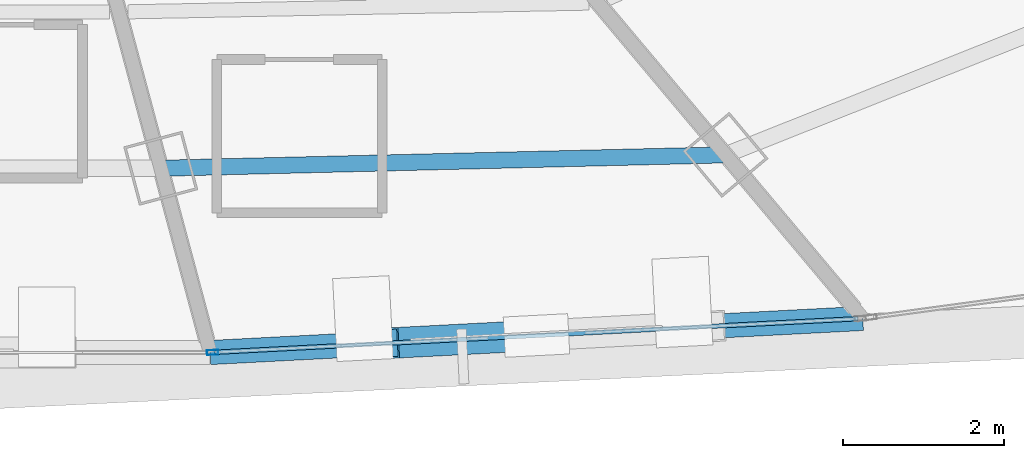
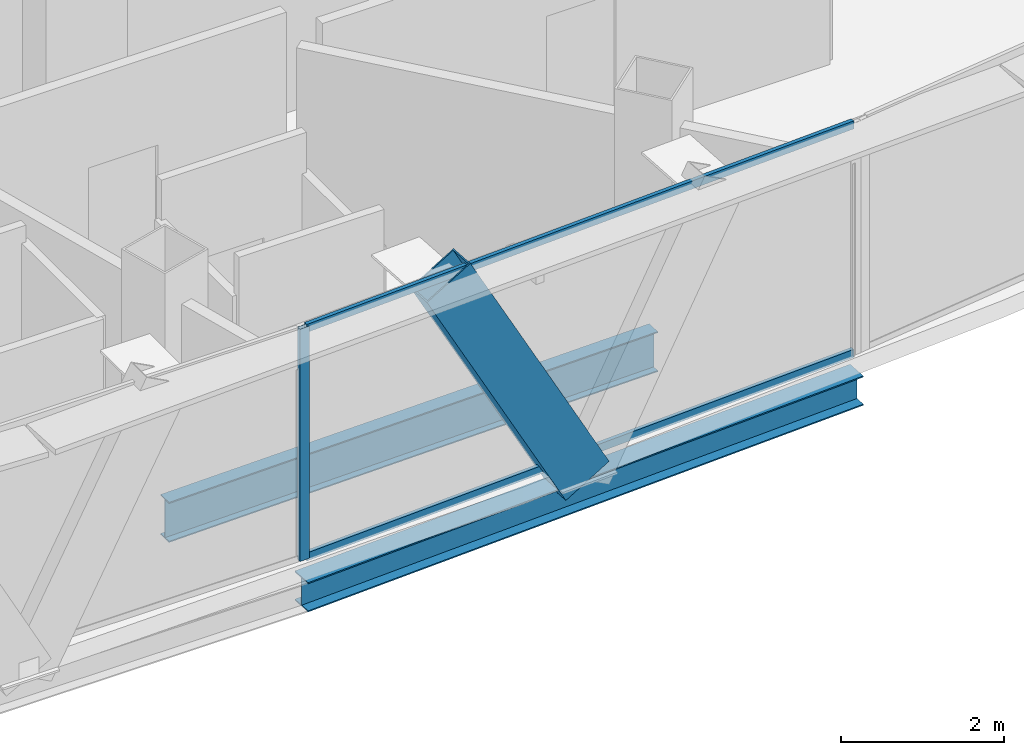
# One storey, part 10 of 39: 4 members, 2 beams, 1 element without a shape of its own.
"""IFC4 building model written with IfcOpenShell, lengths in metres."""

import ifcopenshell
import ifcopenshell.guid

model = None  # the IFC model being written
_history = None  # IfcOwnerHistory: only IFC2X3 demands one
_inside = {}  # id of a spatial element -> (the spatial element, [elements in it])
_under = {}  # id of a project, library or spatial element -> (it, [spatial elements below it])
_declared = {}  # id of a project -> (the project, [libraries it declares])
_typed = {}  # id of a type object -> (the type object, [elements of that type])
_made_of = {}  # id of a material, layer set ... -> (it, [elements and type objects made of it])


def new_model(schema):
    """Start an empty IFC model of exactly this schema.

    Asked for "IFC4X3", IfcOpenShell would pick the latest addendum, in which some entities
    have other attributes; the version numbers below select the first issue.
    IFC2X3 requires an IfcOwnerHistory on every rooted entity: one is made here for all.
    """
    global model, _history
    if schema == "IFC4X3":
        model = ifcopenshell.file(schema_version=(4, 3, 0, 0))
    else:
        model = ifcopenshell.file(schema=schema)
    _inside.clear()
    _under.clear()
    _declared.clear()
    _typed.clear()
    _made_of.clear()
    _history = None
    if model.schema == "IFC2X3":
        org = make("IfcOrganization", Name="unknown")
        user = make(
            "IfcPersonAndOrganization",
            ThePerson=make("IfcPerson", FamilyName="unknown"),
            TheOrganization=org,
        )
        app = make(
            "IfcApplication",
            ApplicationDeveloper=org,
            Version="unknown",
            ApplicationFullName="unknown",
            ApplicationIdentifier="unknown",
        )
        _history = make(
            "IfcOwnerHistory",
            OwningUser=user,
            OwningApplication=app,
            ChangeAction="ADDED",
            CreationDate=0,
        )
    return model


def make(cls, **values):
    """One entity of the class cls with the attributes given. An attribute that is None is left unset."""
    return model.create_entity(
        cls, **{name: value for name, value in values.items() if value is not None}
    )


def rooted(cls, **values):
    """An entity with a GlobalId (a new one), such as an element, a storey or a relation."""
    return make(cls, GlobalId=ifcopenshell.guid.new(), OwnerHistory=_history, **values)


def si_unit(unit_type, name, prefix=None):
    """IfcSIUnit, for example si_unit("LENGTHUNIT", "METRE", prefix="MILLI")."""
    return make("IfcSIUnit", UnitType=unit_type, Prefix=prefix, Name=name)


def assignment(units):
    """IfcUnitAssignment: the units of a project."""
    return None if units is None else make("IfcUnitAssignment", Units=units)


def point(xyz):
    """IfcCartesianPoint."""
    return None if xyz is None else make("IfcCartesianPoint", Coordinates=xyz)


def direction(xyz):
    """IfcDirection."""
    return None if xyz is None else make("IfcDirection", DirectionRatios=xyz)


def frame(location, z_axis=None, x_axis=None):
    """IfcAxis2Placement3D, a coordinate frame: its origin and axes. An axis left out is left unset."""
    return make(
        "IfcAxis2Placement3D",
        Location=point(location),
        Axis=direction(z_axis),
        RefDirection=direction(x_axis),
    )


def frame_2d(location, x_axis=None):
    """IfcAxis2Placement2D, a coordinate frame in the plane: its origin and x axis."""
    return make(
        "IfcAxis2Placement2D", Location=point(location), RefDirection=direction(x_axis)
    )


def origin():
    """The frame at (0, 0, 0) with its axes left unset."""
    return frame((0.0, 0.0, 0.0))


def origin_2d():
    """The frame at (0, 0) in the plane with its x axis left unset."""
    return frame_2d((0.0, 0.0))


def place(relative_to, where):
    """IfcLocalPlacement: puts the frame where relative to a parent placement (None: the world)."""
    return make(
        "IfcLocalPlacement", PlacementRelTo=relative_to, RelativePlacement=where
    )


def context(
    kind, dimensions, precision=None, world=None, true_north=None, identifier=None
):
    """IfcGeometricRepresentationContext, for example the 3D "Model" context."""
    return make(
        "IfcGeometricRepresentationContext",
        ContextIdentifier=identifier,
        ContextType=kind,
        CoordinateSpaceDimension=dimensions,
        Precision=precision,
        WorldCoordinateSystem=world,
        TrueNorth=true_north,
    )


def subcontext(parent, identifier, kind, view, scale=None):
    """IfcGeometricRepresentationSubContext, for example "Body" below "Model"."""
    return make(
        "IfcGeometricRepresentationSubContext",
        ContextIdentifier=identifier,
        ContextType=kind,
        ParentContext=parent,
        TargetScale=scale,
        TargetView=view,
    )


def project(units=None, contexts=None):
    """IfcProject with its units and contexts."""
    return rooted(
        "IfcProject",
        Name="project",
        RepresentationContexts=contexts,
        UnitsInContext=assignment(units),
    )


def spatial(cls, under=None, at=None, **own):
    """A site, building, storey or space (cls), placed at a placement, below another one or the project."""
    s = rooted(cls, ObjectPlacement=at, **own)
    if under is not None:
        _under.setdefault(under.id(), (under, []))[1].append(s)
    return s


def profile(cls, at=None, kind="AREA", **sizes):
    """A parametric profile (cls). Its sizes go by their IFC names, for example OverallWidth=200.0."""
    return make(cls, ProfileType=kind, Position=at, **sizes)


def hollow_rectangle(**sizes):
    """IfcRectangleHollowProfileDef."""
    return profile("IfcRectangleHollowProfileDef", **sizes)


def i_section(**sizes):
    """IfcIShapeProfileDef."""
    return profile("IfcIShapeProfileDef", **sizes)


def extrude(swept, where, along, depth):
    """IfcExtrudedAreaSolid: the profile swept, set in the frame where, extruded along a direction by depth."""
    return make(
        "IfcExtrudedAreaSolid",
        SweptArea=swept,
        Position=where,
        ExtrudedDirection=direction(along),
        Depth=depth,
    )


def shape(context_of_items, identifier, shape_type, items):
    """IfcShapeRepresentation: the items that make up one representation, for example the "Body"."""
    return make(
        "IfcShapeRepresentation",
        ContextOfItems=context_of_items,
        RepresentationIdentifier=identifier,
        RepresentationType=shape_type,
        Items=items,
    )


def source(mapping_origin, context_of_items, identifier, shape_type, items):
    """IfcRepresentationMap: a shape defined once, which mapped items show again and again."""
    return make(
        "IfcRepresentationMap",
        MappingOrigin=mapping_origin,
        MappedRepresentation=shape(context_of_items, identifier, shape_type, items),
    )


def transform(
    local_origin,
    x_axis=None,
    y_axis=None,
    z_axis=None,
    scale=None,
    scale2=None,
    scale3=None,
    uniform=True,
):
    """IfcCartesianTransformationOperator3D, or its non-uniform kind. x_axis, y_axis, z_axis: its Axis1, 2, 3."""
    if uniform:
        return make(
            "IfcCartesianTransformationOperator3D",
            Axis1=direction(x_axis),
            Axis2=direction(y_axis),
            LocalOrigin=point(local_origin),
            Scale=scale,
            Axis3=direction(z_axis),
        )
    return make(
        "IfcCartesianTransformationOperator3DnonUniform",
        Axis1=direction(x_axis),
        Axis2=direction(y_axis),
        LocalOrigin=point(local_origin),
        Scale=scale,
        Axis3=direction(z_axis),
        Scale2=scale2,
        Scale3=scale3,
    )


def mapped(mapping_source, mapping_target):
    """IfcMappedItem: shows the shape of a source again, moved by a transform."""
    return make(
        "IfcMappedItem", MappingSource=mapping_source, MappingTarget=mapping_target
    )


def material(Name=None, Category=None):
    """IfcMaterial."""
    return make("IfcMaterial", Name=Name, Category=Category)


def layer(
    of_material, thickness, ventilated=None, Name=None, Category=None, Priority=None
):
    """IfcMaterialLayer: one layer of a wall or slab, of a material (None: an air gap)."""
    return make(
        "IfcMaterialLayer",
        Material=of_material,
        LayerThickness=thickness,
        IsVentilated=ventilated,
        Name=Name,
        Category=Category,
        Priority=Priority,
    )


def layer_set(layers, Name=None):
    """IfcMaterialLayerSet."""
    return make("IfcMaterialLayerSet", MaterialLayers=layers, LayerSetName=Name)


def material_profile(
    of_material, cross_section, Name=None, Category=None, Priority=None
):
    """IfcMaterialProfile: a cross section and its material."""
    return make(
        "IfcMaterialProfile",
        Name=Name,
        Material=of_material,
        Profile=cross_section,
        Priority=Priority,
        Category=Category,
    )


def profile_set(profiles, Name=None, composite=None):
    """IfcMaterialProfileSet."""
    return make(
        "IfcMaterialProfileSet",
        Name=Name,
        MaterialProfiles=profiles,
        CompositeProfile=composite,
    )


def made_of(thing, what):
    """Note that an element or type object is made of a material, layer set ...; save() writes the relation."""
    if what is not None:
        _made_of.setdefault(what.id(), (what, []))[1].append(thing)
    return thing


def type_object(cls, material=None, **own):
    """A type object (cls), such as IfcWallType, which elements share."""
    return made_of(rooted(cls, **own), material)


def element(
    cls,
    number,
    at=None,
    inside=None,
    cuts=None,
    type_object=None,
    material=None,
    context=None,
    identifier="Body",
    shape_type=None,
    held_by="IfcProductDefinitionShape",
    body=None,
    shapes=None,
    **own,
):
    """One element of the class cls, such as IfcWall. Its Tag is "e" and its number.

    at: its placement. inside: the storey or other place that contains it. cuts: it is an
    opening in that element (IfcRelVoidsElement). A single representation is given by context,
    identifier, shape_type and body (its items); several are given by shapes. held_by: the class
    of the entity that holds the representations. save() writes the other relations.
    """
    e = rooted(cls, Tag="e%d" % number, ObjectPlacement=at, **own)
    if body is not None:
        shapes = [shape(context, identifier, shape_type, body)]
    if shapes is not None:
        e.Representation = make(held_by, Representations=shapes)
    if inside is not None:
        _inside.setdefault(inside.id(), (inside, []))[1].append(e)
    if cuts is not None:
        rooted(
            "IfcRelVoidsElement", RelatingBuildingElement=cuts, RelatedOpeningElement=e
        )
    if type_object is not None:
        _typed.setdefault(type_object.id(), (type_object, []))[1].append(e)
    return made_of(e, material)


def aggregate(whole, parts):
    """IfcRelAggregates: a whole, such as a stair, and the parts it consists of."""
    return rooted("IfcRelAggregates", RelatingObject=whole, RelatedObjects=parts)


def save(model, path):
    """Write the relations noted so far, then the file.

    IfcRelAggregates (storeys below a building ...), IfcRelContainedInSpatialStructure (elements
    in a storey), IfcRelDefinesByType, IfcRelAssociatesMaterial and IfcRelDeclares: one each for
    every whole, place, type object, material and project.
    """
    for whole, parts in _under.values():
        aggregate(whole, parts)
    for where, things in _inside.values():
        rooted(
            "IfcRelContainedInSpatialStructure",
            RelatedElements=things,
            RelatingStructure=where,
        )
    for kind, things in _typed.values():
        rooted("IfcRelDefinesByType", RelatedObjects=things, RelatingType=kind)
    for what, things in _made_of.values():
        rooted("IfcRelAssociatesMaterial", RelatedObjects=things, RelatingMaterial=what)
    for by, libraries in _declared.values():
        rooted("IfcRelDeclares", RelatingContext=by, RelatedDefinitions=libraries)
    model.write(path)


model = new_model("IFC4")

# Units and contexts
model_context = context("Model", 3, precision=1e-05, world=origin(), true_north=direction((0.0, 1.0)))
body_context = subcontext(model_context, "Body", "Model", "MODEL_VIEW")
ifc_project = project(units=[si_unit("LENGTHUNIT", "METRE"), si_unit("AREAUNIT", "SQUARE_METRE"), si_unit("VOLUMEUNIT", "CUBIC_METRE"), si_unit("PLANEANGLEUNIT", "RADIAN"), si_unit("MASSUNIT", "GRAM", prefix="KILO"), si_unit("THERMODYNAMICTEMPERATUREUNIT", "KELVIN"), si_unit("POWERUNIT", "WATT")], contexts=[model_context])

# Site, building, storey
site_placement = place(None, origin())
site = spatial("IfcSite", under=ifc_project, at=site_placement, CompositionType="ELEMENT")
building_placement = place(site_placement, origin())
building = spatial("IfcBuilding", under=site, at=building_placement, Name="Yunzhuo Pagoda Commons", CompositionType="ELEMENT")
storey_placement = place(building_placement, frame((0.0, 0.0, 296.2099609375)))
storey = spatial("IfcBuildingStorey", under=building, at=storey_placement, Name="L74", CompositionType="ELEMENT", Elevation=296.2099609375)

# Beams
ifc_material_1 = material(Name="Structural steel Q355B", Category="steel")
ifc_material_profile_1 = material_profile(ifc_material_1, i_section(OverallWidth=0.199951171875, OverallDepth=0.60009765625, WebThickness=0.010986328125, FlangeThickness=0.01708984375, at=origin_2d()), Name="Structural steel Q355B")
ifc_profile_set_1 = profile_set([ifc_material_profile_1], Name="Structural steel Q355B")
beam_type_1 = type_object("IfcBeamType", Name="B-RG3 Beam HN 600x200x11x17", PredefinedType="BEAM", material=ifc_profile_set_1)
shared_shape_1 = source(origin(), body_context, "Body", "SweptSolid", [
    extrude(i_section(OverallWidth=0.199951171875, OverallDepth=0.60009765625, WebThickness=0.010986328125, FlangeThickness=0.01708984375, at=origin_2d()), origin(), (0.0, 0.0, 1.0), 7.0048828125),
])
beam_1_placement = place(storey_placement, frame((51.3505859375, 21.195556640625, -0.56005859375), z_axis=(0.99971911704, 0.023699937233, 0.0), x_axis=(-0.023699937233, 0.99971911704, 0.0)))
element("IfcBeam", 1, at=beam_1_placement, inside=storey, type_object=beam_type_1, Name="L74 column-ring beam 3", PredefinedType="BEAM", context=body_context, shape_type="MappedRepresentation", body=[
    mapped(shared_shape_1, transform((0.0, 0.0, 0.0), scale=1.0)),
])
ifc_material_profile_2 = material_profile(ifc_material_1, i_section(OverallWidth=0.300048828125, OverallDepth=0.43994140625, WebThickness=0.010986328125, FlangeThickness=0.01806640625, at=origin_2d()), Name="Structural steel Q355B")
ifc_profile_set_2 = profile_set([ifc_material_profile_2], Name="Structural steel Q355B")
beam_type_2 = type_object("IfcBeamType", Name="B-SP2 Beam HM 440x300x11x18", PredefinedType="BEAM", material=ifc_profile_set_2)
shared_shape_2 = source(origin(), body_context, "Body", "SweptSolid", [
    extrude(i_section(OverallWidth=0.300048828125, OverallDepth=0.43994140625, WebThickness=0.010986328125, FlangeThickness=0.01806640625, at=origin_2d()), origin(), (0.0, 0.0, 1.0), 8.10302734375),
])
beam_2_placement = place(storey_placement, frame((51.962890625, 18.910888671875, -0.479736328125), z_axis=(0.998639054255, 0.052153996166, 0.0), x_axis=(-0.052153996166, 0.998639054255, 0.0)))
element("IfcBeam", 2, at=beam_2_placement, inside=storey, type_object=beam_type_2, Name="L74 facade edge spandrel beam F1.3", PredefinedType="BEAM", context=body_context, shape_type="MappedRepresentation", body=[
    mapped(shared_shape_2, transform((0.0, 0.0, 0.0), scale=1.0)),
])

# Member
ifc_material_profile_3 = material_profile(ifc_material_1, hollow_rectangle(XDim=0.3798828125, YDim=0.719970703125, WallThickness=0.02001953125, at=origin_2d()), Name="Structural steel Q355B")
ifc_profile_set_3 = profile_set([ifc_material_profile_3], Name="Structural steel Q355B")
member_type_1 = type_object("IfcMemberType", Name="M-DL3 Brace BOX 720x380x20", PredefinedType="BRACE", material=ifc_profile_set_3)
shared_shape_3 = source(origin(), body_context, "Body", "SweptSolid", [
    extrude(hollow_rectangle(XDim=0.3798828125, YDim=0.719970703125, WallThickness=0.02001953125, at=origin_2d()), origin(), (0.0, 0.0, 1.0), 4.24462890625),
])
member_1_placement = place(storey_placement, frame((56.0087890625, 19.1220703125, -0.260009765625), z_axis=(-0.476598580338, -0.02490552562, 0.878768176491), x_axis=(0.052185613721, -0.998637402524, 0.0)))
element("IfcMember", 3, at=member_1_placement, inside=storey, type_object=member_type_1, Name="L74 facade diamond brace F1.3L", PredefinedType="BRACE", context=body_context, shape_type="MappedRepresentation", body=[
    mapped(shared_shape_3, transform((0.0, 0.0, 0.0), scale=1.0)),
])

# Curtain wall, members
ifc_material_2 = material(Name="Anodized aluminium 6063-T6", Category="aluminium")
ifc_layer = layer(ifc_material_2, 0.139892578125)
ifc_layer_set = layer_set([ifc_layer], Name="Anodized aluminium 6063-T6")
curtain_wall_type = type_object("IfcCurtainWallType", Name="CW-HI High-Zone Ribbon Curtain Wall", PredefinedType="NOTDEFINED", material=ifc_layer_set)
curtain_wall_placement = place(storey_placement, origin())
curtain_wall = element("IfcCurtainWall", 4, at=curtain_wall_placement, inside=storey, type_object=curtain_wall_type, Name="L74 curtain wall CW-L74-F1B4", PredefinedType="NOTDEFINED")
ifc_material_profile_4 = material_profile(ifc_material_2, hollow_rectangle(XDim=0.06005859375, YDim=0.139892578125, WallThickness=0.00341796875, at=origin_2d()), Name="Anodized aluminium 6063-T6")
ifc_profile_set_4 = profile_set([ifc_material_profile_4], Name="Anodized aluminium 6063-T6")
member_type_2 = type_object("IfcMemberType", Name="CW-HI-M Mullion RHS 140x60x3.5", PredefinedType="MULLION", material=ifc_profile_set_4)
shared_shape_4 = source(origin(), body_context, "Body", "SweptSolid", [
    extrude(hollow_rectangle(XDim=0.06005859375, YDim=0.139892578125, WallThickness=0.00341796875, at=origin_2d()), origin(), (0.0, 0.0, 1.0), 3.469970703125),
])
member_2_placement = place(storey_placement, frame((51.99267578125, 18.912109375, 0.0), z_axis=(0.0, 0.0, 1.0), x_axis=(-0.052189625547, 0.998637192871, 0.0)))
member_2 = element("IfcMember", 5, at=member_2_placement, type_object=member_type_2, Name="CW mullion 1", PredefinedType="MULLION", context=body_context, shape_type="MappedRepresentation", body=[
    mapped(shared_shape_4, transform((0.0, 0.0, 0.0), scale=1.0)),
])
ifc_material_profile_5 = material_profile(ifc_material_2, hollow_rectangle(XDim=0.054931640625, YDim=0.1201171875, WallThickness=0.00341796875, at=origin_2d()), Name="Anodized aluminium 6063-T6")
ifc_profile_set_5 = profile_set([ifc_material_profile_5], Name="Anodized aluminium 6063-T6")
member_type_3 = type_object("IfcMemberType", Name="CW-HI-T Transom RHS 120x55x3.5", PredefinedType="USERDEFINED", material=ifc_profile_set_5)
shared_shape_5 = source(origin(), body_context, "Body", "SweptSolid", [
    extrude(hollow_rectangle(XDim=0.054931640625, YDim=0.1201171875, WallThickness=0.00341796875, at=origin_2d()), origin(), (0.0, 0.0, 1.0), 7.983154296875),
])
member_3_placement = place(storey_placement, frame((52.022705078125, 18.913818359375, 0.027587890625), z_axis=(0.998638030657, 0.052173592218, 0.0), x_axis=(-0.052173592218, 0.998638030657, 0.0)))
member_3 = element("IfcMember", 6, at=member_3_placement, type_object=member_type_3, Name="CW transom 1.1", ObjectType="TRANSOM", PredefinedType="USERDEFINED", context=body_context, shape_type="MappedRepresentation", body=[
    mapped(shared_shape_5, transform((0.0, 0.0, 0.0), scale=1.0)),
])
member_4_placement = place(storey_placement, frame((52.022705078125, 18.913818359375, 3.442626953125), z_axis=(0.998638030657, 0.052173592218, 0.0), x_axis=(-0.052173592218, 0.998638030657, 0.0)))
member_4 = element("IfcMember", 7, at=member_4_placement, type_object=member_type_3, Name="CW transom 1.2", ObjectType="TRANSOM", PredefinedType="USERDEFINED", context=body_context, shape_type="MappedRepresentation", body=[
    mapped(shared_shape_5, transform((0.0, 0.0, 0.0), scale=1.0)),
])
aggregate(curtain_wall, [member_2, member_3, member_4])

save(model, "model.ifc")
